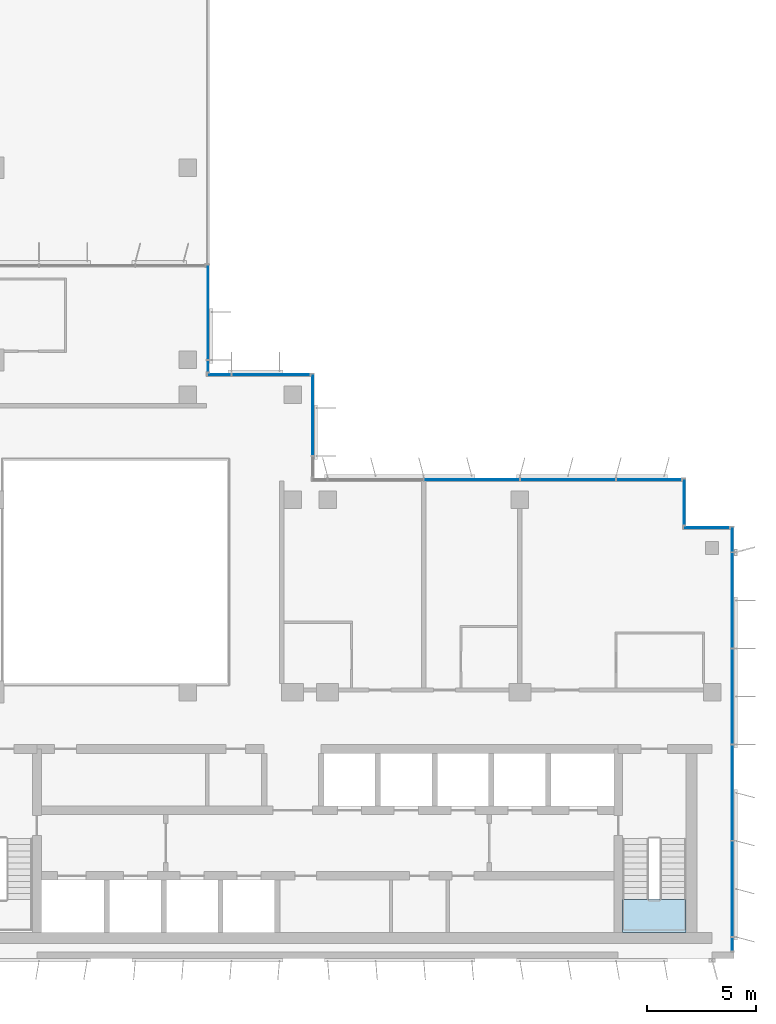
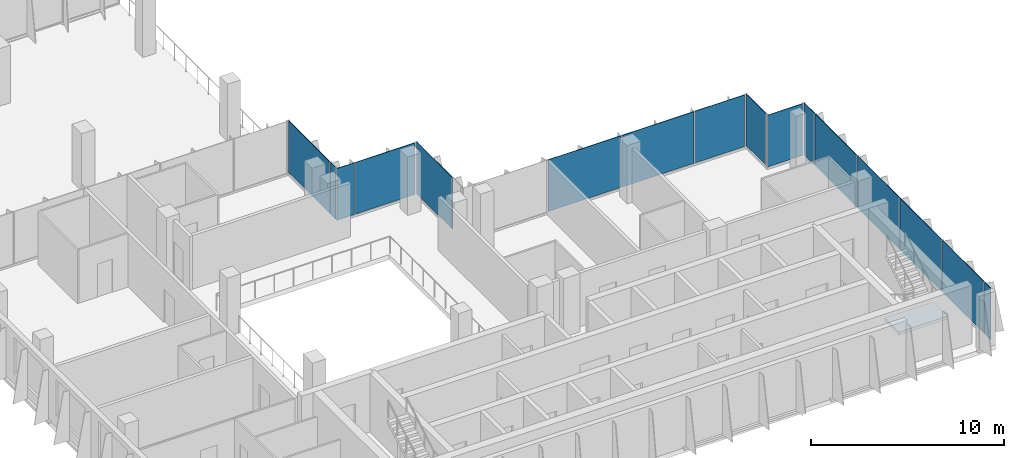
# One storey, part 7 of 15: 16 plates, 1 slab, 8 elements without a shape of their own.
"""IFC4 building model written with IfcOpenShell, lengths in metres."""

import ifcopenshell
import ifcopenshell.guid

model = None  # the IFC model being written
_history = None  # IfcOwnerHistory: only IFC2X3 demands one
_inside = {}  # id of a spatial element -> (the spatial element, [elements in it])
_under = {}  # id of a project, library or spatial element -> (it, [spatial elements below it])
_declared = {}  # id of a project -> (the project, [libraries it declares])
_typed = {}  # id of a type object -> (the type object, [elements of that type])
_made_of = {}  # id of a material, layer set ... -> (it, [elements and type objects made of it])


def new_model(schema):
    """Start an empty IFC model of exactly this schema.

    Asked for "IFC4X3", IfcOpenShell would pick the latest addendum, in which some entities
    have other attributes; the version numbers below select the first issue.
    IFC2X3 requires an IfcOwnerHistory on every rooted entity: one is made here for all.
    """
    global model, _history
    if schema == "IFC4X3":
        model = ifcopenshell.file(schema_version=(4, 3, 0, 0))
    else:
        model = ifcopenshell.file(schema=schema)
    _inside.clear()
    _under.clear()
    _declared.clear()
    _typed.clear()
    _made_of.clear()
    _history = None
    if model.schema == "IFC2X3":
        org = make("IfcOrganization", Name="unknown")
        user = make(
            "IfcPersonAndOrganization",
            ThePerson=make("IfcPerson", FamilyName="unknown"),
            TheOrganization=org,
        )
        app = make(
            "IfcApplication",
            ApplicationDeveloper=org,
            Version="unknown",
            ApplicationFullName="unknown",
            ApplicationIdentifier="unknown",
        )
        _history = make(
            "IfcOwnerHistory",
            OwningUser=user,
            OwningApplication=app,
            ChangeAction="ADDED",
            CreationDate=0,
        )
    return model


def make(cls, **values):
    """One entity of the class cls with the attributes given. An attribute that is None is left unset."""
    return model.create_entity(
        cls, **{name: value for name, value in values.items() if value is not None}
    )


def rooted(cls, **values):
    """An entity with a GlobalId (a new one), such as an element, a storey or a relation."""
    return make(cls, GlobalId=ifcopenshell.guid.new(), OwnerHistory=_history, **values)


def si_unit(unit_type, name, prefix=None):
    """IfcSIUnit, for example si_unit("LENGTHUNIT", "METRE", prefix="MILLI")."""
    return make("IfcSIUnit", UnitType=unit_type, Prefix=prefix, Name=name)


def assignment(units):
    """IfcUnitAssignment: the units of a project."""
    return None if units is None else make("IfcUnitAssignment", Units=units)


def point(xyz):
    """IfcCartesianPoint."""
    return None if xyz is None else make("IfcCartesianPoint", Coordinates=xyz)


def direction(xyz):
    """IfcDirection."""
    return None if xyz is None else make("IfcDirection", DirectionRatios=xyz)


def frame(location, z_axis=None, x_axis=None):
    """IfcAxis2Placement3D, a coordinate frame: its origin and axes. An axis left out is left unset."""
    return make(
        "IfcAxis2Placement3D",
        Location=point(location),
        Axis=direction(z_axis),
        RefDirection=direction(x_axis),
    )


def frame_2d(location, x_axis=None):
    """IfcAxis2Placement2D, a coordinate frame in the plane: its origin and x axis."""
    return make(
        "IfcAxis2Placement2D", Location=point(location), RefDirection=direction(x_axis)
    )


def origin():
    """The frame at (0, 0, 0) with its axes left unset."""
    return frame((0.0, 0.0, 0.0))


def origin_2d():
    """The frame at (0, 0) in the plane with its x axis left unset."""
    return frame_2d((0.0, 0.0))


def place(relative_to, where):
    """IfcLocalPlacement: puts the frame where relative to a parent placement (None: the world)."""
    return make(
        "IfcLocalPlacement", PlacementRelTo=relative_to, RelativePlacement=where
    )


def context(
    kind, dimensions, precision=None, world=None, true_north=None, identifier=None
):
    """IfcGeometricRepresentationContext, for example the 3D "Model" context."""
    return make(
        "IfcGeometricRepresentationContext",
        ContextIdentifier=identifier,
        ContextType=kind,
        CoordinateSpaceDimension=dimensions,
        Precision=precision,
        WorldCoordinateSystem=world,
        TrueNorth=true_north,
    )


def subcontext(parent, identifier, kind, view, scale=None):
    """IfcGeometricRepresentationSubContext, for example "Body" below "Model"."""
    return make(
        "IfcGeometricRepresentationSubContext",
        ContextIdentifier=identifier,
        ContextType=kind,
        ParentContext=parent,
        TargetScale=scale,
        TargetView=view,
    )


def project(units=None, contexts=None):
    """IfcProject with its units and contexts."""
    return rooted(
        "IfcProject",
        Name="project",
        RepresentationContexts=contexts,
        UnitsInContext=assignment(units),
    )


def spatial(cls, under=None, at=None, **own):
    """A site, building, storey or space (cls), placed at a placement, below another one or the project."""
    s = rooted(cls, ObjectPlacement=at, **own)
    if under is not None:
        _under.setdefault(under.id(), (under, []))[1].append(s)
    return s


def polyline(points):
    """IfcPolyline through the points."""
    return make("IfcPolyline", Points=[point(p) for p in points])


def profile(cls, at=None, kind="AREA", **sizes):
    """A parametric profile (cls). Its sizes go by their IFC names, for example OverallWidth=200.0."""
    return make(cls, ProfileType=kind, Position=at, **sizes)


def rectangle(**sizes):
    """IfcRectangleProfileDef."""
    return profile("IfcRectangleProfileDef", **sizes)


def outline(outer, holes=None, kind="AREA"):
    """IfcArbitraryClosedProfileDef: a profile drawn as a closed curve; with holes, ...WithVoids."""
    if holes is None:
        return make("IfcArbitraryClosedProfileDef", ProfileType=kind, OuterCurve=outer)
    return make(
        "IfcArbitraryProfileDefWithVoids",
        ProfileType=kind,
        OuterCurve=outer,
        InnerCurves=holes,
    )


def extrude(swept, where, along, depth):
    """IfcExtrudedAreaSolid: the profile swept, set in the frame where, extruded along a direction by depth."""
    return make(
        "IfcExtrudedAreaSolid",
        SweptArea=swept,
        Position=where,
        ExtrudedDirection=direction(along),
        Depth=depth,
    )


def shape(context_of_items, identifier, shape_type, items):
    """IfcShapeRepresentation: the items that make up one representation, for example the "Body"."""
    return make(
        "IfcShapeRepresentation",
        ContextOfItems=context_of_items,
        RepresentationIdentifier=identifier,
        RepresentationType=shape_type,
        Items=items,
    )


def source(mapping_origin, context_of_items, identifier, shape_type, items):
    """IfcRepresentationMap: a shape defined once, which mapped items show again and again."""
    return make(
        "IfcRepresentationMap",
        MappingOrigin=mapping_origin,
        MappedRepresentation=shape(context_of_items, identifier, shape_type, items),
    )


def transform(
    local_origin,
    x_axis=None,
    y_axis=None,
    z_axis=None,
    scale=None,
    scale2=None,
    scale3=None,
    uniform=True,
):
    """IfcCartesianTransformationOperator3D, or its non-uniform kind. x_axis, y_axis, z_axis: its Axis1, 2, 3."""
    if uniform:
        return make(
            "IfcCartesianTransformationOperator3D",
            Axis1=direction(x_axis),
            Axis2=direction(y_axis),
            LocalOrigin=point(local_origin),
            Scale=scale,
            Axis3=direction(z_axis),
        )
    return make(
        "IfcCartesianTransformationOperator3DnonUniform",
        Axis1=direction(x_axis),
        Axis2=direction(y_axis),
        LocalOrigin=point(local_origin),
        Scale=scale,
        Axis3=direction(z_axis),
        Scale2=scale2,
        Scale3=scale3,
    )


def mapped(mapping_source, mapping_target):
    """IfcMappedItem: shows the shape of a source again, moved by a transform."""
    return make(
        "IfcMappedItem", MappingSource=mapping_source, MappingTarget=mapping_target
    )


def material(Name=None, Category=None):
    """IfcMaterial."""
    return make("IfcMaterial", Name=Name, Category=Category)


def layer(
    of_material, thickness, ventilated=None, Name=None, Category=None, Priority=None
):
    """IfcMaterialLayer: one layer of a wall or slab, of a material (None: an air gap)."""
    return make(
        "IfcMaterialLayer",
        Material=of_material,
        LayerThickness=thickness,
        IsVentilated=ventilated,
        Name=Name,
        Category=Category,
        Priority=Priority,
    )


def layer_set(layers, Name=None):
    """IfcMaterialLayerSet."""
    return make("IfcMaterialLayerSet", MaterialLayers=layers, LayerSetName=Name)


def made_of(thing, what):
    """Note that an element or type object is made of a material, layer set ...; save() writes the relation."""
    if what is not None:
        _made_of.setdefault(what.id(), (what, []))[1].append(thing)
    return thing


def type_object(cls, material=None, **own):
    """A type object (cls), such as IfcWallType, which elements share."""
    return made_of(rooted(cls, **own), material)


def element(
    cls,
    number,
    at=None,
    inside=None,
    cuts=None,
    type_object=None,
    material=None,
    context=None,
    identifier="Body",
    shape_type=None,
    held_by="IfcProductDefinitionShape",
    body=None,
    shapes=None,
    **own,
):
    """One element of the class cls, such as IfcWall. Its Tag is "e" and its number.

    at: its placement. inside: the storey or other place that contains it. cuts: it is an
    opening in that element (IfcRelVoidsElement). A single representation is given by context,
    identifier, shape_type and body (its items); several are given by shapes. held_by: the class
    of the entity that holds the representations. save() writes the other relations.
    """
    e = rooted(cls, Tag="e%d" % number, ObjectPlacement=at, **own)
    if body is not None:
        shapes = [shape(context, identifier, shape_type, body)]
    if shapes is not None:
        e.Representation = make(held_by, Representations=shapes)
    if inside is not None:
        _inside.setdefault(inside.id(), (inside, []))[1].append(e)
    if cuts is not None:
        rooted(
            "IfcRelVoidsElement", RelatingBuildingElement=cuts, RelatedOpeningElement=e
        )
    if type_object is not None:
        _typed.setdefault(type_object.id(), (type_object, []))[1].append(e)
    return made_of(e, material)


def aggregate(whole, parts):
    """IfcRelAggregates: a whole, such as a stair, and the parts it consists of."""
    return rooted("IfcRelAggregates", RelatingObject=whole, RelatedObjects=parts)


def save(model, path):
    """Write the relations noted so far, then the file.

    IfcRelAggregates (storeys below a building ...), IfcRelContainedInSpatialStructure (elements
    in a storey), IfcRelDefinesByType, IfcRelAssociatesMaterial and IfcRelDeclares: one each for
    every whole, place, type object, material and project.
    """
    for whole, parts in _under.values():
        aggregate(whole, parts)
    for where, things in _inside.values():
        rooted(
            "IfcRelContainedInSpatialStructure",
            RelatedElements=things,
            RelatingStructure=where,
        )
    for kind, things in _typed.values():
        rooted("IfcRelDefinesByType", RelatedObjects=things, RelatingType=kind)
    for what, things in _made_of.values():
        rooted("IfcRelAssociatesMaterial", RelatedObjects=things, RelatingMaterial=what)
    for by, libraries in _declared.values():
        rooted("IfcRelDeclares", RelatingContext=by, RelatedDefinitions=libraries)
    model.write(path)


model = new_model("IFC4")

# Units and contexts
model_context = context("Model", 3, precision=1e-05, world=origin(), true_north=direction((0.0, 1.0)))
body_context = subcontext(model_context, "Body", "Model", "MODEL_VIEW")
ifc_project = project(units=[si_unit("LENGTHUNIT", "METRE"), si_unit("AREAUNIT", "SQUARE_METRE"), si_unit("VOLUMEUNIT", "CUBIC_METRE"), si_unit("PLANEANGLEUNIT", "RADIAN"), si_unit("MASSUNIT", "GRAM", prefix="KILO")], contexts=[model_context])

# Site, building, storey
site_placement = place(None, origin())
site = spatial("IfcSite", under=ifc_project, at=site_placement, CompositionType="ELEMENT")
building_placement = place(site_placement, origin())
building = spatial("IfcBuilding", under=site, at=building_placement, Name="Kemantara Hotel Tower", CompositionType="ELEMENT")
storey_placement = place(building_placement, frame((0.0, 0.0, 241.300048828125)))
storey = spatial("IfcBuildingStorey", under=building, at=storey_placement, Name="L60", CompositionType="ELEMENT", Elevation=241.300048828125)

# Stair, slab
ifc_material_1 = material(Name="Concrete fc 40 MPa", Category="concrete")
stair_type = type_object("IfcStairType", Name="Stair 1200 wide 22 risers of 168 x 280 mm", PredefinedType="HALF_TURN_STAIR", material=ifc_material_1)
stair_placement = place(storey_placement, origin())
stair = element("IfcStair", 1, at=stair_placement, inside=storey, type_object=stair_type, Name="L60 Exit stair ST2", PredefinedType="HALF_TURN_STAIR")
ifc_layer_1 = layer(ifc_material_1, 0.199951171875)
ifc_layer_set_1 = layer_set([ifc_layer_1], Name="Concrete fc 40 MPa")
slab_type = type_object("IfcSlabType", Name="Stair landing 200 mm", PredefinedType="LANDING", material=ifc_layer_set_1)
slab_placement = place(storey_placement, frame((0.0, 0.0, 1.64990234375)))
slab = element("IfcSlab", 2, at=slab_placement, type_object=slab_type, Name="ST2 landing 1", PredefinedType="LANDING", context=body_context, shape_type="SweptSolid", body=[
    extrude(outline(polyline([(40.89990234375, 2.699951171875), (40.89990234375, 1.199951171875), (43.800048828125, 1.199951171875), (43.800048828125, 2.699951171875), (40.89990234375, 2.699951171875)])), origin(), (0.0, 0.0, 1.0), 0.199951171875),
])
aggregate(stair, [slab])

# Curtain wall, plates
ifc_material_2 = material(Name="Low-E tinted double insulated glass 36 mm", Category="glass")
curtain_wall_type = type_object("IfcCurtainWallType", Name="TOWER CURTAIN WALL, FRONT FACES", PredefinedType="USERDEFINED", material=ifc_material_2)
curtain_wall_1_placement = place(storey_placement, origin())
curtain_wall_1 = element("IfcCurtainWall", 3, at=curtain_wall_1_placement, inside=storey, type_object=curtain_wall_type, Name="CW4 L60 T4P-R06-1", ObjectType="TOWER CURTAIN WALL, FRONT FACES", PredefinedType="USERDEFINED")
ifc_layer_2 = layer(ifc_material_2, 0.035888671875)
ifc_layer_set_2 = layer_set([ifc_layer_2], Name="Low-E tinted double insulated glass 36 mm")
plate_type = type_object("IfcPlateType", Name="TOWER CURTAIN WALL, FRONT FACES PANEL", PredefinedType="CURTAIN_PANEL", material=ifc_layer_set_2)
shared_shape_1 = source(origin(), body_context, "Body", "SweptSolid", [
    extrude(rectangle(XDim=4.340087890625, YDim=0.035888671875, at=origin_2d()), origin(), (0.0, 0.0, 1.0), 3.280029296875),
])
plate_1_placement = place(storey_placement, frame((45.925048828125, 3.199951171875, 0.1201171875), z_axis=(0.0, 0.0, 1.0), x_axis=(0.0, 1.0, 0.0)))
plate_1 = element("IfcPlate", 4, at=plate_1_placement, type_object=plate_type, Name="CW4 glass panel T4P-R06-1.2", PredefinedType="CURTAIN_PANEL", context=body_context, shape_type="MappedRepresentation", body=[
    mapped(shared_shape_1, transform((0.0, 0.0, 0.0))),
])
plate_2_placement = place(storey_placement, frame((45.925048828125, 7.60009765625, 0.1201171875), z_axis=(0.0, 0.0, 1.0), x_axis=(0.0, 1.0, 0.0)))
plate_2 = element("IfcPlate", 5, at=plate_2_placement, type_object=plate_type, Name="CW4 glass panel T4P-R06-1.3", PredefinedType="CURTAIN_PANEL", context=body_context, shape_type="MappedRepresentation", body=[
    mapped(shared_shape_1, transform((0.0, 0.0, 0.0))),
])
plate_3_placement = place(storey_placement, frame((45.925048828125, 12.0, 0.1201171875), z_axis=(0.0, 0.0, 1.0), x_axis=(0.0, 1.0, 0.0)))
plate_3 = element("IfcPlate", 6, at=plate_3_placement, type_object=plate_type, Name="CW4 glass panel T4P-R06-1.4", PredefinedType="CURTAIN_PANEL", context=body_context, shape_type="MappedRepresentation", body=[
    mapped(shared_shape_1, transform((0.0, 0.0, 0.0))),
])
plate_4_placement = place(storey_placement, frame((45.925048828125, 16.39990234375, 0.1201171875), z_axis=(0.0, 0.0, 1.0), x_axis=(0.0, 1.0, 0.0)))
plate_4 = element("IfcPlate", 7, at=plate_4_placement, type_object=plate_type, Name="CW4 glass panel T4P-R06-1.5", PredefinedType="CURTAIN_PANEL", context=body_context, shape_type="MappedRepresentation", body=[
    mapped(shared_shape_1, transform((0.0, 0.0, 0.0))),
])

curtain_wall_2_placement = place(storey_placement, origin())
curtain_wall_2 = element("IfcCurtainWall", 8, at=curtain_wall_2_placement, inside=storey, type_object=curtain_wall_type, Name="CW4 L60 T4P-R09-1", ObjectType="TOWER CURTAIN WALL, FRONT FACES", PredefinedType="USERDEFINED")
plate_5_placement = place(storey_placement, frame((38.39990234375, 21.925048828125, 0.1201171875), z_axis=(0.0, 0.0, 1.0), x_axis=(-1.0, 0.0, 0.0)))
plate_5 = element("IfcPlate", 9, at=plate_5_placement, type_object=plate_type, Name="CW4 glass panel T4P-R09-1.2", PredefinedType="CURTAIN_PANEL", context=body_context, shape_type="MappedRepresentation", body=[
    mapped(shared_shape_1, transform((0.0, 0.0, 0.0))),
])
plate_6_placement = place(storey_placement, frame((34.0, 21.925048828125, 0.1201171875), z_axis=(0.0, 0.0, 1.0), x_axis=(-1.0, 0.0, 0.0)))
plate_6 = element("IfcPlate", 10, at=plate_6_placement, type_object=plate_type, Name="CW4 glass panel T4P-R09-1.3", PredefinedType="CURTAIN_PANEL", context=body_context, shape_type="MappedRepresentation", body=[
    mapped(shared_shape_1, transform((0.0, 0.0, 0.0))),
])

# Curtain wall, plate
curtain_wall_3_placement = place(storey_placement, origin())
curtain_wall_3 = element("IfcCurtainWall", 11, at=curtain_wall_3_placement, inside=storey, type_object=curtain_wall_type, Name="CW4 L60 T4P-R07-1", ObjectType="TOWER CURTAIN WALL, FRONT FACES", PredefinedType="USERDEFINED")
shared_shape_2 = source(origin(), body_context, "Body", "SweptSolid", [
    extrude(rectangle(XDim=2.080078125, YDim=0.035888671875, at=origin_2d()), origin(), (0.0, 0.0, 1.0), 3.280029296875),
])
plate_7_placement = place(storey_placement, frame((44.75, 19.72509765625, 0.1201171875), z_axis=(0.0, 0.0, 1.0), x_axis=(-1.0, 0.0, 0.0)))
plate_7 = element("IfcPlate", 12, at=plate_7_placement, type_object=plate_type, Name="CW4 glass panel T4P-R07-1.1", PredefinedType="CURTAIN_PANEL", context=body_context, shape_type="MappedRepresentation", body=[
    mapped(shared_shape_2, transform((0.0, 0.0, 0.0))),
])
aggregate(curtain_wall_3, [plate_7])

curtain_wall_4_placement = place(storey_placement, origin())
curtain_wall_4 = element("IfcCurtainWall", 13, at=curtain_wall_4_placement, inside=storey, type_object=curtain_wall_type, Name="CW4 L60 T4P-R08-1", ObjectType="TOWER CURTAIN WALL, FRONT FACES", PredefinedType="USERDEFINED")
plate_8_placement = place(storey_placement, frame((43.72509765625, 20.89990234375, 0.1201171875), z_axis=(0.0, 0.0, 1.0), x_axis=(0.0, 1.0, 0.0)))
plate_8 = element("IfcPlate", 14, at=plate_8_placement, type_object=plate_type, Name="CW4 glass panel T4P-R08-1.1", PredefinedType="CURTAIN_PANEL", context=body_context, shape_type="MappedRepresentation", body=[
    mapped(shared_shape_2, transform((0.0, 0.0, 0.0))),
])
aggregate(curtain_wall_4, [plate_8])

# Plate
shared_shape_3 = source(origin(), body_context, "Body", "SweptSolid", [
    extrude(rectangle(XDim=2.9599609375, YDim=0.035888671875, at=origin_2d()), origin(), (0.0, 0.0, 1.0), 3.280029296875),
])
plate_9_placement = place(storey_placement, frame((42.110107421875, 21.925048828125, 0.1201171875), z_axis=(0.0, 0.0, 1.0), x_axis=(-1.0, 0.0, 0.0)))
plate_9 = element("IfcPlate", 15, at=plate_9_placement, type_object=plate_type, Name="CW4 glass panel T4P-R09-1.1", PredefinedType="CURTAIN_PANEL", context=body_context, shape_type="MappedRepresentation", body=[
    mapped(shared_shape_3, transform((0.0, 0.0, 0.0))),
])

aggregate(curtain_wall_2, [plate_9, plate_5, plate_6])

# Curtain wall, plate
curtain_wall_5_placement = place(storey_placement, origin())
curtain_wall_5 = element("IfcCurtainWall", 16, at=curtain_wall_5_placement, inside=storey, type_object=curtain_wall_type, Name="CW4 L60 T4P-R00-1", ObjectType="TOWER CURTAIN WALL, FRONT FACES", PredefinedType="USERDEFINED")
shared_shape_4 = source(origin(), body_context, "Body", "SweptSolid", [
    extrude(rectangle(XDim=0.510009765625, YDim=0.035888671875, at=origin_2d()), origin(), (0.0, 0.0, 1.0), 3.280029296875),
])
plate_10_placement = place(storey_placement, frame((21.925048828125, 27.114990234375, 0.1201171875), z_axis=(0.0, 0.0, 1.0), x_axis=(0.0, 1.0, 0.0)))
plate_10 = element("IfcPlate", 17, at=plate_10_placement, type_object=plate_type, Name="CW4 glass panel T4P-R00-1.1", PredefinedType="CURTAIN_PANEL", context=body_context, shape_type="MappedRepresentation", body=[
    mapped(shared_shape_4, transform((0.0, 0.0, 0.0))),
])

# Plate
shared_shape_5 = source(origin(), body_context, "Body", "SweptSolid", [
    extrude(rectangle(XDim=1.110107421875, YDim=0.035888671875, at=origin_2d()), origin(), (0.0, 0.0, 1.0), 3.280029296875),
])
plate_11_placement = place(storey_placement, frame((45.925048828125, 19.18505859375, 0.1201171875), z_axis=(0.0, 0.0, 1.0), x_axis=(0.0, 1.0, 0.0)))
plate_11 = element("IfcPlate", 18, at=plate_11_placement, type_object=plate_type, Name="CW4 glass panel T4P-R06-1.6", PredefinedType="CURTAIN_PANEL", context=body_context, shape_type="MappedRepresentation", body=[
    mapped(shared_shape_5, transform((0.0, 0.0, 0.0))),
])

# Curtain wall, plate
curtain_wall_6_placement = place(storey_placement, origin())
curtain_wall_6 = element("IfcCurtainWall", 19, at=curtain_wall_6_placement, inside=storey, type_object=curtain_wall_type, Name="CW4 L60 T4P-R10-1", ObjectType="TOWER CURTAIN WALL, FRONT FACES", PredefinedType="USERDEFINED")
shared_shape_6 = source(origin(), body_context, "Body", "SweptSolid", [
    extrude(rectangle(XDim=3.7099609375, YDim=0.035888671875, at=origin_2d()), origin(), (0.0, 0.0, 1.0), 3.280029296875),
])
plate_12_placement = place(storey_placement, frame((26.72509765625, 24.885009765625, 0.1201171875), z_axis=(0.0, 0.0, 1.0), x_axis=(0.0, 1.0, 0.0)))
plate_12 = element("IfcPlate", 20, at=plate_12_placement, type_object=plate_type, Name="CW4 glass panel T4P-R10-1.2", PredefinedType="CURTAIN_PANEL", context=body_context, shape_type="MappedRepresentation", body=[
    mapped(shared_shape_6, transform((0.0, 0.0, 0.0))),
])
aggregate(curtain_wall_6, [plate_12])

# Curtain wall, plates
curtain_wall_7_placement = place(storey_placement, origin())
curtain_wall_7 = element("IfcCurtainWall", 21, at=curtain_wall_7_placement, inside=storey, type_object=curtain_wall_type, Name="CW4 L60 T4P-R11-1", ObjectType="TOWER CURTAIN WALL, FRONT FACES", PredefinedType="USERDEFINED")
shared_shape_7 = source(origin(), body_context, "Body", "SweptSolid", [
    extrude(rectangle(XDim=3.56005859375, YDim=0.035888671875, at=origin_2d()), origin(), (0.0, 0.0, 1.0), 3.280029296875),
])
plate_13_placement = place(storey_placement, frame((24.81005859375, 26.72509765625, 0.1201171875), z_axis=(0.0, 0.0, 1.0), x_axis=(-1.0, 0.0, 0.0)))
plate_13 = element("IfcPlate", 22, at=plate_13_placement, type_object=plate_type, Name="CW4 glass panel T4P-R11-1.1", PredefinedType="CURTAIN_PANEL", context=body_context, shape_type="MappedRepresentation", body=[
    mapped(shared_shape_7, transform((0.0, 0.0, 0.0))),
])
shared_shape_8 = source(origin(), body_context, "Body", "SweptSolid", [
    extrude(rectangle(XDim=1.06005859375, YDim=0.035888671875, at=origin_2d()), origin(), (0.0, 0.0, 1.0), 3.280029296875),
])
plate_14_placement = place(storey_placement, frame((22.43994140625, 26.72509765625, 0.1201171875), z_axis=(0.0, 0.0, 1.0), x_axis=(-1.0, 0.0, 0.0)))
plate_14 = element("IfcPlate", 23, at=plate_14_placement, type_object=plate_type, Name="CW4 glass panel T4P-R11-1.2", PredefinedType="CURTAIN_PANEL", context=body_context, shape_type="MappedRepresentation", body=[
    mapped(shared_shape_8, transform((0.0, 0.0, 0.0))),
])
aggregate(curtain_wall_7, [plate_13, plate_14])

# Plate
shared_shape_9 = source(origin(), body_context, "Body", "SweptSolid", [
    extrude(rectangle(XDim=0.610107421875, YDim=0.035888671875, at=origin_2d()), origin(), (0.0, 0.0, 1.0), 3.280029296875),
])
plate_15_placement = place(storey_placement, frame((45.925048828125, 0.6650390625, 0.1201171875), z_axis=(0.0, 0.0, 1.0), x_axis=(0.0, 1.0, 0.0)))
plate_15 = element("IfcPlate", 24, at=plate_15_placement, type_object=plate_type, Name="CW4 glass panel T4P-R06-1.1", PredefinedType="CURTAIN_PANEL", context=body_context, shape_type="MappedRepresentation", body=[
    mapped(shared_shape_9, transform((0.0, 0.0, 0.0))),
])

aggregate(curtain_wall_1, [plate_15, plate_1, plate_2, plate_3, plate_4, plate_11])

shared_shape_10 = source(origin(), body_context, "Body", "SweptSolid", [
    extrude(rectangle(XDim=4.31005859375, YDim=0.035888671875, at=origin_2d()), origin(), (0.0, 0.0, 1.0), 3.280029296875),
])
plate_16_placement = place(storey_placement, frame((21.925048828125, 29.5849609375, 0.1201171875), z_axis=(0.0, 0.0, 1.0), x_axis=(0.0, 1.0, 0.0)))
plate_16 = element("IfcPlate", 25, at=plate_16_placement, type_object=plate_type, Name="CW4 glass panel T4P-R00-1.2", PredefinedType="CURTAIN_PANEL", context=body_context, shape_type="MappedRepresentation", body=[
    mapped(shared_shape_10, transform((0.0, 0.0, 0.0))),
])

aggregate(curtain_wall_5, [plate_10, plate_16])

save(model, "model.ifc")
